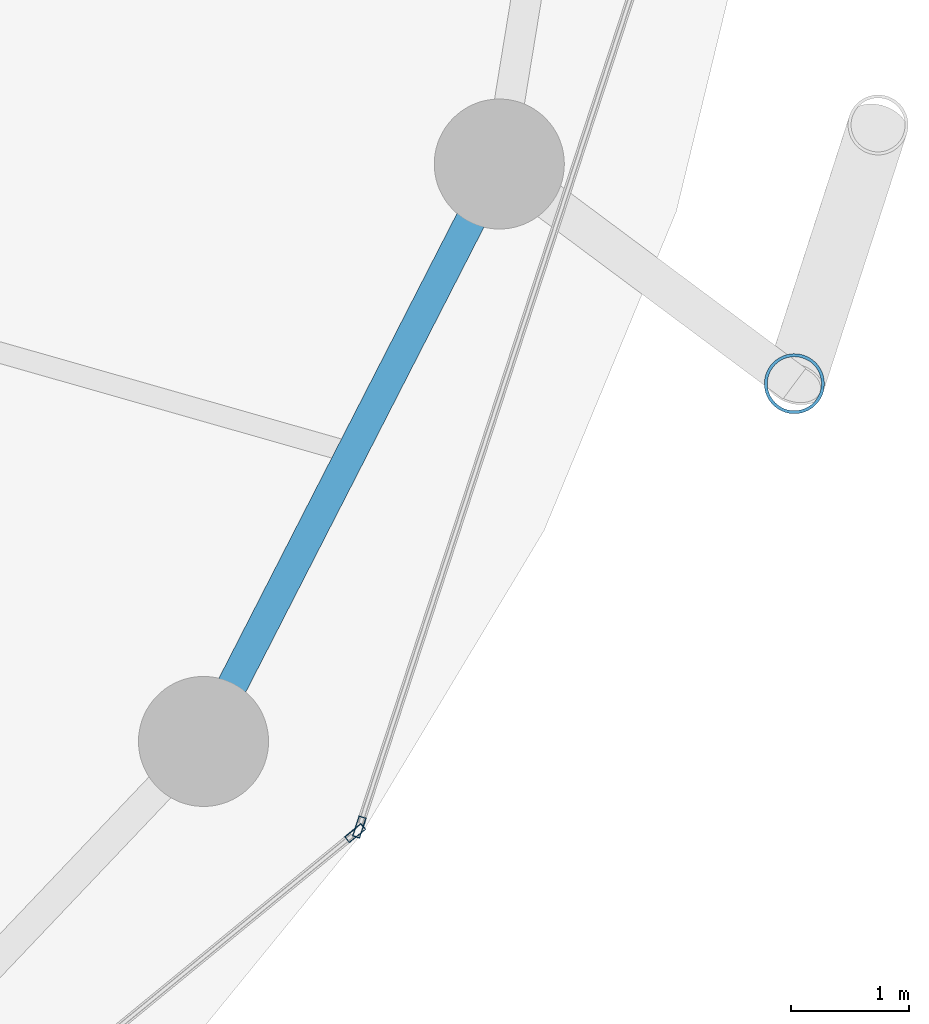
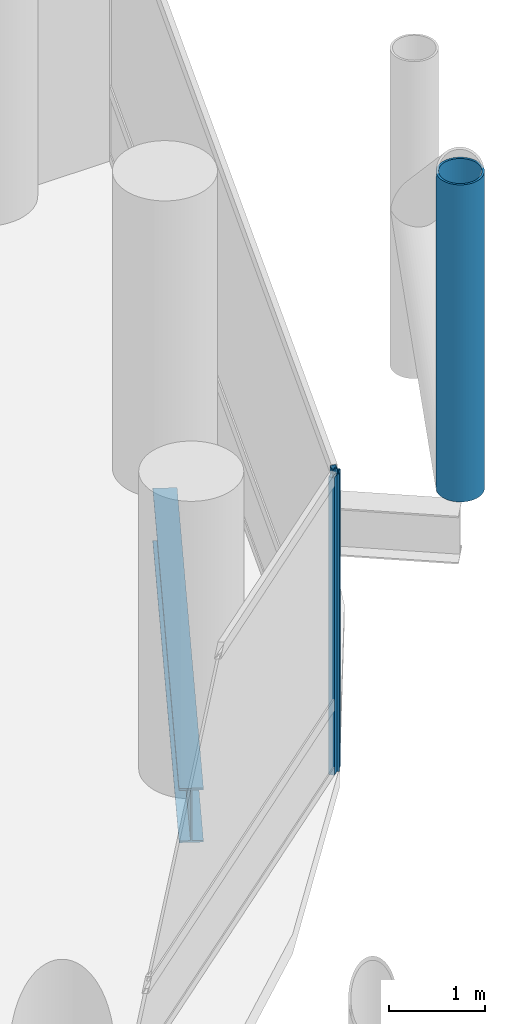
# One storey, part 10 of 24: 3 members, 1 beam, 2 elements without a shape of their own.
"""IFC4 building model written with IfcOpenShell, lengths in metres."""

from ifc_helpers import new_model, si_unit, direction, frame, origin, origin_2d, place, context, subcontext, project, spatial, hollow_rectangle, hollow_circle, i_section, extrude, material, layer, layer_set, material_profile, profile_set, type_object, element, aggregate, save


model = new_model("IFC4")

# Units and contexts
model_context = context("Model", 3, precision=1e-05, world=origin(), true_north=direction((0.0, 1.0)))
body_context = subcontext(model_context, "Body", "Model", "MODEL_VIEW")
ifc_project = project(units=[si_unit("LENGTHUNIT", "METRE"), si_unit("AREAUNIT", "SQUARE_METRE"), si_unit("VOLUMEUNIT", "CUBIC_METRE"), si_unit("PLANEANGLEUNIT", "RADIAN"), si_unit("MASSUNIT", "GRAM", prefix="KILO")], contexts=[model_context])

# Site, building, storey
site_placement = place(None, origin())
site = spatial("IfcSite", under=ifc_project, at=site_placement, CompositionType="ELEMENT")
building_placement = place(site_placement, origin())
building = spatial("IfcBuilding", under=site, at=building_placement, Name="Nuhasar Tower", CompositionType="ELEMENT")
storey_placement = place(building_placement, frame((0.0, 0.0, 77.699951171875)))
storey = spatial("IfcBuildingStorey", under=building, at=storey_placement, Name="L18", CompositionType="ELEMENT", Elevation=77.699951171875)

# Beam
ifc_material_1 = material(Name="Steel S355", Category="steel")
ifc_material_profile_1 = material_profile(ifc_material_1, i_section(OverallWidth=0.256103515625, OverallDepth=0.693115234375, WebThickness=0.014404296875, FlangeThickness=0.023681640625, at=origin_2d()), Name="W27X114")
ifc_profile_set_1 = profile_set([ifc_material_profile_1], Name="Steel S355")
beam_type = type_object("IfcBeamType", Name="BM-RING-W27X114", PredefinedType="SPANDREL", material=ifc_profile_set_1)
beam_placement = place(storey_placement, frame((60.694091796875, 16.675048828125, -0.596923828125), z_axis=(0.455930023905, 0.890015625314, 0.0), x_axis=(-0.890015625314, 0.455930023905, 0.0)))
element("IfcBeam", 1, at=beam_placement, inside=storey, type_object=beam_type, Name="L18 Perimeter Ring Spandrel 23", PredefinedType="SPANDREL", context=body_context, shape_type="SweptSolid", body=[
    extrude(i_section(OverallWidth=0.256103515625, OverallDepth=0.693115234375, WebThickness=0.014404296875, FlangeThickness=0.023681640625, at=origin_2d()), origin(), (0.0, 0.0, 1.0), 5.487548828125),
])

# Curtain wall, member
ifc_material_2 = material(Name="Aluminium 6063-T6", Category="aluminium")
ifc_layer = layer(ifc_material_2, 0.199951171875)
ifc_layer_set = layer_set([ifc_layer], Name="Aluminium 6063-T6")
curtain_wall_type = type_object("IfcCurtainWallType", Name="CW-Z1-OFF", PredefinedType="NOTDEFINED", material=ifc_layer_set)
curtain_wall_1_placement = place(storey_placement, origin())
curtain_wall_1 = element("IfcCurtainWall", 2, at=curtain_wall_1_placement, inside=storey, type_object=curtain_wall_type, Name="L18 Unitised Curtain Wall 11", PredefinedType="NOTDEFINED")
ifc_material_profile_2 = material_profile(ifc_material_2, hollow_rectangle(XDim=0.06494140625, YDim=0.179931640625, WallThickness=0.0048828125, at=origin_2d()), Name="CWM-2")
ifc_profile_set_2 = profile_set([ifc_material_profile_2], Name="Aluminium 6063-T6")
member_type_1 = type_object("IfcMemberType", Name="CW-MUL-S2", PredefinedType="MULLION", material=ifc_profile_set_2)
member_1_placement = place(storey_placement, frame((61.976806640625, 15.8994140625, 0.0), z_axis=(0.0, 0.0, 1.0), x_axis=(-0.633744593376, 0.773542364946, 0.0)))
member_1 = element("IfcMember", 3, at=member_1_placement, type_object=member_type_1, Name="CW-Z1 mullion 2", PredefinedType="MULLION", context=body_context, shape_type="SweptSolid", body=[
    extrude(hollow_rectangle(XDim=0.06494140625, YDim=0.179931640625, WallThickness=0.0048828125, at=origin_2d()), origin(), (0.0, 0.0, 1.0), 3.800048828125),
])
aggregate(curtain_wall_1, [member_1])

curtain_wall_2_placement = place(storey_placement, origin())
curtain_wall_2 = element("IfcCurtainWall", 4, at=curtain_wall_2_placement, inside=storey, type_object=curtain_wall_type, Name="L18 Unitised Curtain Wall 12", PredefinedType="NOTDEFINED")
member_2_placement = place(storey_placement, frame((62.01220703125, 15.950927734375, 0.0), z_axis=(0.0, 0.0, 1.0), x_axis=(-0.950467534571, 0.310823849997, 0.0)))
member_2 = element("IfcMember", 5, at=member_2_placement, type_object=member_type_1, Name="CW-Z1 mullion 1", PredefinedType="MULLION", context=body_context, shape_type="SweptSolid", body=[
    extrude(hollow_rectangle(XDim=0.06494140625, YDim=0.179931640625, WallThickness=0.0048828125, at=origin_2d()), origin(), (0.0, 0.0, 1.0), 3.800048828125),
])
aggregate(curtain_wall_2, [member_2])

# Member
ifc_material_3 = material(Name="Steel S460", Category="steel")
ifc_material_profile_3 = material_profile(ifc_material_3, hollow_circle(Radius=0.25390625, WallThickness=0.025390625, at=origin_2d()), Name="HSS508X25.4")
ifc_profile_set_3 = profile_set([ifc_material_profile_3], Name="Steel S460")
member_type_2 = type_object("IfcMemberType", Name="EXO-BRONZE-508", PredefinedType="BRACE", material=ifc_profile_set_3)
member_3_placement = place(storey_placement, frame((65.69189453125, 19.700927734375, 0.0), z_axis=(0.0, 0.0, 1.0), x_axis=(1.0, 0.0, 0.0)))
element("IfcMember", 6, at=member_3_placement, inside=storey, type_object=member_type_2, Name="L18 Exoskeleton Chord Column EC-12A", PredefinedType="BRACE", context=body_context, shape_type="SweptSolid", body=[
    extrude(hollow_circle(Radius=0.25390625, WallThickness=0.025390625, at=origin_2d()), origin(), (0.0, 0.0, 1.0), 4.050048828125),
])

save(model, "model.ifc")
